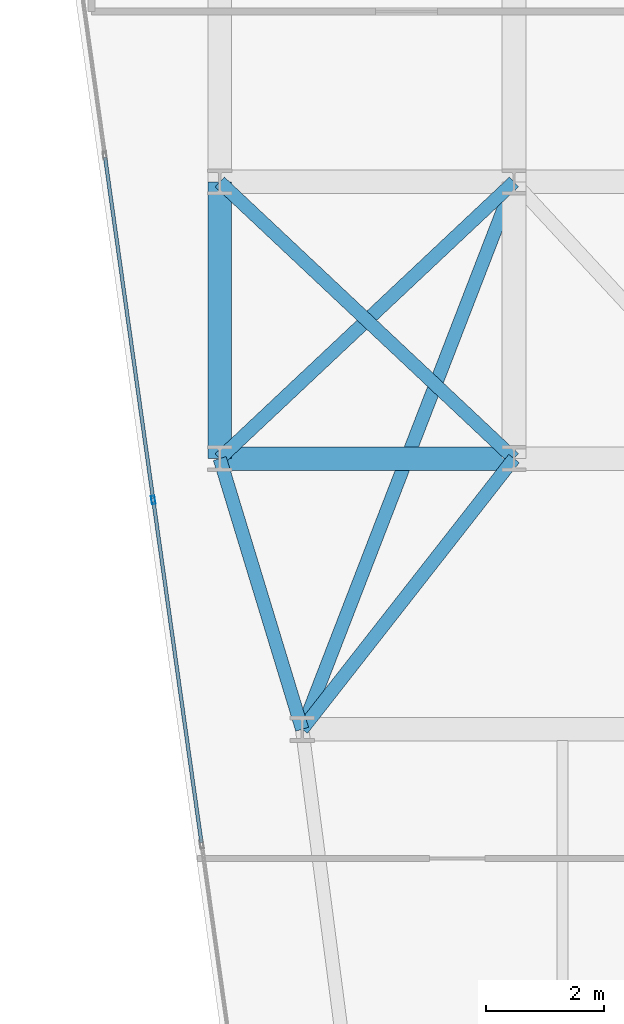
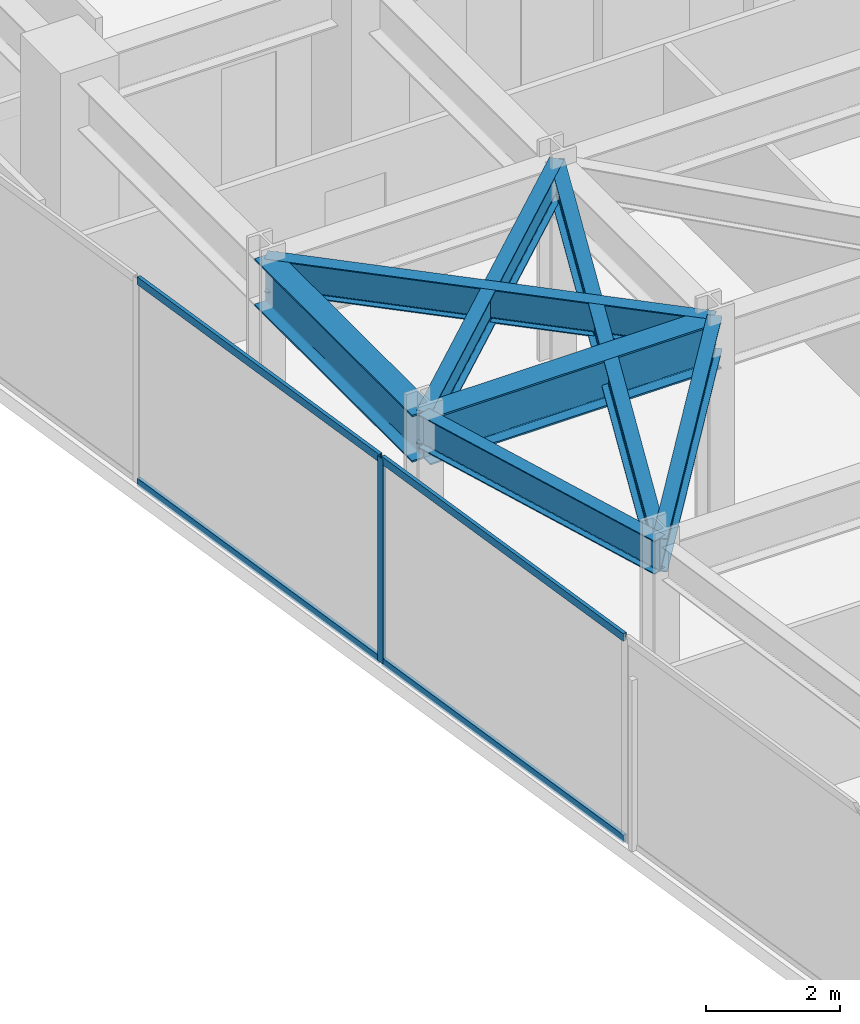
# One storey, part 9 of 26: 7 beams, 5 members, 1 element without a shape of its own.
"""IFC4 building model written with IfcOpenShell, lengths in metres."""

from ifc_helpers import new_model, si_unit, direction, frame, origin, origin_2d, place, context, subcontext, project, spatial, hollow_rectangle, i_section, extrude, material, layer, layer_set, material_profile, profile_set, type_object, element, aggregate, save


model = new_model("IFC4")

# Units and contexts
model_context = context("Model", 3, precision=1e-05, world=origin(), true_north=direction((0.0, 1.0)))
body_context = subcontext(model_context, "Body", "Model", "MODEL_VIEW")
ifc_project = project(units=[si_unit("LENGTHUNIT", "METRE"), si_unit("AREAUNIT", "SQUARE_METRE"), si_unit("VOLUMEUNIT", "CUBIC_METRE"), si_unit("PLANEANGLEUNIT", "RADIAN"), si_unit("MASSUNIT", "GRAM", prefix="KILO")], contexts=[model_context])

# Site, building, storey
site_placement = place(None, origin())
site = spatial("IfcSite", under=ifc_project, at=site_placement, CompositionType="ELEMENT")
building_placement = place(site_placement, origin())
building = spatial("IfcBuilding", under=site, at=building_placement, Name="Kravanh Interchange Tower", CompositionType="ELEMENT")
storey_placement = place(building_placement, frame((0.0, 0.0, 152.0)))
storey = spatial("IfcBuildingStorey", under=building, at=storey_placement, Name="L36", CompositionType="ELEMENT", Elevation=152.0)

# Curtain wall, members
ifc_material_1 = material(Name="Anodised Bronze Aluminium", Category="aluminium")
ifc_layer = layer(ifc_material_1, 0.179931640625)
ifc_layer_set = layer_set([ifc_layer], Name="Unitised Curtain Wall System CW-Z2 Mid Office")
curtain_wall_type = type_object("IfcCurtainWallType", Name="Unitised Curtain Wall System CW-Z2 Mid Office", PredefinedType="NOTDEFINED", material=ifc_layer_set)
curtain_wall_placement = place(storey_placement, origin())
curtain_wall = element("IfcCurtainWall", 1, at=curtain_wall_placement, inside=storey, type_object=curtain_wall_type, Name="L36 Unitised Curtain Wall CW-L36-01", PredefinedType="NOTDEFINED")
ifc_material_2 = material(Name="Anodised Bronze Aluminium", Category="aluminium")
ifc_material_profile_1 = material_profile(ifc_material_2, hollow_rectangle(XDim=0.06005859375, YDim=0.139892578125, WallThickness=0.00390625, at=origin_2d()), Name="ALU60X140X4")
ifc_profile_set_1 = profile_set([ifc_material_profile_1], Name="Anodised Bronze Aluminium")
member_type_1 = type_object("IfcMemberType", Name="Curtain Wall Mullion ALU60X140X4 Bronze", PredefinedType="MULLION", material=ifc_profile_set_1)
member_1_placement = place(storey_placement, frame((12.469970703125, 26.095458984375, 0.0), z_axis=(0.0, 0.0, 1.0), x_axis=(-0.990268103846, -0.13917285118, 0.0)))
member_1 = element("IfcMember", 2, at=member_1_placement, type_object=member_type_1, Name="CW-Z2 mullion 4", PredefinedType="MULLION", context=body_context, shape_type="SweptSolid", body=[
    extrude(hollow_rectangle(XDim=0.06005859375, YDim=0.139892578125, WallThickness=0.00390625, at=origin_2d()), origin(), (0.0, 0.0, 1.0), 3.719970703125),
])
ifc_material_3 = material(Name="Anodised Bronze Aluminium", Category="aluminium")
ifc_material_profile_2 = material_profile(ifc_material_3, hollow_rectangle(XDim=0.06005859375, YDim=0.139892578125, WallThickness=0.00390625, at=origin_2d()), Name="ALU60X140X4")
ifc_profile_set_2 = profile_set([ifc_material_profile_2], Name="Anodised Bronze Aluminium")
member_type_2 = type_object("IfcMemberType", Name="Curtain Wall Transom ALU60X140X4 Bronze", PredefinedType="USERDEFINED", material=ifc_profile_set_2)
member_2_placement = place(storey_placement, frame((13.288330078125, 20.27294921875, 0.030029296875), z_axis=(-0.13918896503, 0.990265839062, 0.0), x_axis=(-0.990265839062, -0.13918896503, 0.0)))
member_2 = element("IfcMember", 3, at=member_2_placement, type_object=member_type_2, Name="CW-Z2 transom 3.1", ObjectType="TRANSOM", PredefinedType="USERDEFINED", context=body_context, shape_type="SweptSolid", body=[
    extrude(hollow_rectangle(XDim=0.06005859375, YDim=0.139892578125, WallThickness=0.00390625, at=origin_2d()), origin(), (0.0, 0.0, 1.0), 5.849609375),
])
member_3_placement = place(storey_placement, frame((13.288330078125, 20.27294921875, 3.68994140625), z_axis=(-0.13918896503, 0.990265839062, 0.0), x_axis=(-0.990265839062, -0.13918896503, 0.0)))
member_3 = element("IfcMember", 4, at=member_3_placement, type_object=member_type_2, Name="CW-Z2 transom 3.2", ObjectType="TRANSOM", PredefinedType="USERDEFINED", context=body_context, shape_type="SweptSolid", body=[
    extrude(hollow_rectangle(XDim=0.06005859375, YDim=0.139892578125, WallThickness=0.00390625, at=origin_2d()), origin(), (0.0, 0.0, 1.0), 5.849609375),
])
member_4_placement = place(storey_placement, frame((12.4658203125, 26.125244140625, 0.030029296875), z_axis=(-0.13918896503, 0.990265839062, 0.0), x_axis=(-0.990265839062, -0.13918896503, 0.0)))
member_4 = element("IfcMember", 5, at=member_4_placement, type_object=member_type_2, Name="CW-Z2 transom 4.1", ObjectType="TRANSOM", PredefinedType="USERDEFINED", context=body_context, shape_type="SweptSolid", body=[
    extrude(hollow_rectangle(XDim=0.06005859375, YDim=0.139892578125, WallThickness=0.00390625, at=origin_2d()), origin(), (0.0, 0.0, 1.0), 5.849609375),
])
member_5_placement = place(storey_placement, frame((12.4658203125, 26.125244140625, 3.68994140625), z_axis=(-0.13918896503, 0.990265839062, 0.0), x_axis=(-0.990265839062, -0.13918896503, 0.0)))
member_5 = element("IfcMember", 6, at=member_5_placement, type_object=member_type_2, Name="CW-Z2 transom 4.2", ObjectType="TRANSOM", PredefinedType="USERDEFINED", context=body_context, shape_type="SweptSolid", body=[
    extrude(hollow_rectangle(XDim=0.06005859375, YDim=0.139892578125, WallThickness=0.00390625, at=origin_2d()), origin(), (0.0, 0.0, 1.0), 5.849609375),
])
aggregate(curtain_wall, [member_1, member_2, member_3, member_4, member_5])

# Beams
ifc_material_4 = material(Name="Structural Steel S355", Category="steel")
ifc_material_profile_3 = material_profile(ifc_material_4, i_section(OverallWidth=0.39990234375, OverallDepth=0.85595703125, WebThickness=0.018310546875, FlangeThickness=0.029296875, FilletRadius=0.02490234375, at=origin_2d()), Name="W33X201")
ifc_profile_set_3 = profile_set([ifc_material_profile_3], Name="Structural Steel S355")
beam_type_1 = type_object("IfcBeamType", Name="Floor Beam W33X201 Structural Steel S355", PredefinedType="BEAM", material=ifc_profile_set_3)
beam_1_placement = place(storey_placement, frame((13.60009765625, 26.800048828125, 3.2919921875), z_axis=(0.0, 1.0, 0.0), x_axis=(-1.0, 0.0, 0.0)))
element("IfcBeam", 7, at=beam_1_placement, inside=storey, type_object=beam_type_1, Name="L36 Primary Floor Girder 37", PredefinedType="BEAM", context=body_context, shape_type="SweptSolid", body=[
    extrude(i_section(OverallWidth=0.39990234375, OverallDepth=0.85595703125, WebThickness=0.018310546875, FlangeThickness=0.029296875, FilletRadius=0.02490234375, at=origin_2d()), origin(), (0.0, 0.0, 1.0), 4.699951171875),
])
beam_2_placement = place(storey_placement, frame((13.60009765625, 26.800048828125, 3.2919921875), z_axis=(1.0, 0.0, 0.0), x_axis=(0.0, 1.0, 0.0)))
element("IfcBeam", 8, at=beam_2_placement, inside=storey, type_object=beam_type_1, Name="L36 Primary Floor Girder 39", PredefinedType="BEAM", context=body_context, shape_type="SweptSolid", body=[
    extrude(i_section(OverallWidth=0.39990234375, OverallDepth=0.85595703125, WebThickness=0.018310546875, FlangeThickness=0.029296875, FilletRadius=0.02490234375, at=origin_2d()), origin(), (0.0, 0.0, 1.0), 5.0),
])
ifc_material_5 = material(Name="Structural Steel S355", Category="steel")
ifc_material_profile_4 = material_profile(ifc_material_5, i_section(OverallWidth=0.22802734375, OverallDepth=0.60791015625, WebThickness=0.01123046875, FlangeThickness=0.017333984375, FilletRadius=0.02197265625, at=origin_2d()), Name="W24X76")
ifc_profile_set_4 = profile_set([ifc_material_profile_4], Name="Structural Steel S355")
beam_type_2 = type_object("IfcBeamType", Name="Floor Spandrel W24X76 Structural Steel S355", PredefinedType="SPANDREL", material=ifc_profile_set_4)
beam_3_placement = place(storey_placement, frame((13.60009765625, 26.800048828125, 3.416015625), z_axis=(0.291137370727, -0.956681259023, 0.0), x_axis=(0.956681259023, 0.291137370727, 0.0)))
element("IfcBeam", 9, at=beam_3_placement, inside=storey, type_object=beam_type_2, Name="L36 Perimeter Spandrel 38", PredefinedType="SPANDREL", context=body_context, shape_type="SweptSolid", body=[
    extrude(i_section(OverallWidth=0.22802734375, OverallDepth=0.60791015625, WebThickness=0.01123046875, FlangeThickness=0.017333984375, FilletRadius=0.02197265625, at=origin_2d()), origin(), (0.0, 0.0, 1.0), 4.808349609375),
])
beam_4_placement = place(storey_placement, frame((13.60009765625, 26.800048828125, 3.416015625), z_axis=(0.728631219862, 0.684906231131, 0.0), x_axis=(-0.684906231131, 0.728631219862, 0.0)))
element("IfcBeam", 10, at=beam_4_placement, inside=storey, type_object=beam_type_2, Name="L36 Perimeter Spandrel 40", PredefinedType="SPANDREL", context=body_context, shape_type="SweptSolid", body=[
    extrude(i_section(OverallWidth=0.22802734375, OverallDepth=0.60791015625, WebThickness=0.01123046875, FlangeThickness=0.017333984375, FilletRadius=0.02197265625, at=origin_2d()), origin(), (0.0, 0.0, 1.0), 6.862060546875),
])
beam_5_placement = place(storey_placement, frame((18.60009765625, 26.800048828125, 3.416015625), z_axis=(-0.616310515553, -0.787503237085, 0.0), x_axis=(0.787503237085, -0.616310515553, 0.0)))
element("IfcBeam", 11, at=beam_5_placement, inside=storey, type_object=beam_type_2, Name="L36 Perimeter Spandrel 42", PredefinedType="SPANDREL", context=body_context, shape_type="SweptSolid", body=[
    extrude(i_section(OverallWidth=0.22802734375, OverallDepth=0.60791015625, WebThickness=0.01123046875, FlangeThickness=0.017333984375, FilletRadius=0.02197265625, at=origin_2d()), origin(), (0.0, 0.0, 1.0), 5.84130859375),
])
beam_6_placement = place(storey_placement, frame((18.60009765625, 26.800048828125, 3.416015625), z_axis=(-0.728631219862, 0.684906231131, 0.0), x_axis=(-0.684906231131, -0.728631219862, 0.0)))
element("IfcBeam", 12, at=beam_6_placement, inside=storey, type_object=beam_type_2, Name="L36 Perimeter Spandrel 43", PredefinedType="SPANDREL", context=body_context, shape_type="SweptSolid", body=[
    extrude(i_section(OverallWidth=0.22802734375, OverallDepth=0.60791015625, WebThickness=0.01123046875, FlangeThickness=0.017333984375, FilletRadius=0.02197265625, at=origin_2d()), origin(), (0.0, 0.0, 1.0), 6.862060546875),
])
beam_7_placement = place(storey_placement, frame((18.60009765625, 31.5, 3.416015625), z_axis=(-0.3610009706, -0.932565439648, 0.0), x_axis=(0.932565439648, -0.3610009706, 0.0)))
element("IfcBeam", 13, at=beam_7_placement, inside=storey, type_object=beam_type_2, Name="L36 Perimeter Spandrel 72", PredefinedType="SPANDREL", context=body_context, shape_type="SweptSolid", body=[
    extrude(i_section(OverallWidth=0.22802734375, OverallDepth=0.60791015625, WebThickness=0.01123046875, FlangeThickness=0.017333984375, FilletRadius=0.02197265625, at=origin_2d()), origin(), (0.0, 0.0, 1.0), 9.97265625),
])

save(model, "model.ifc")
